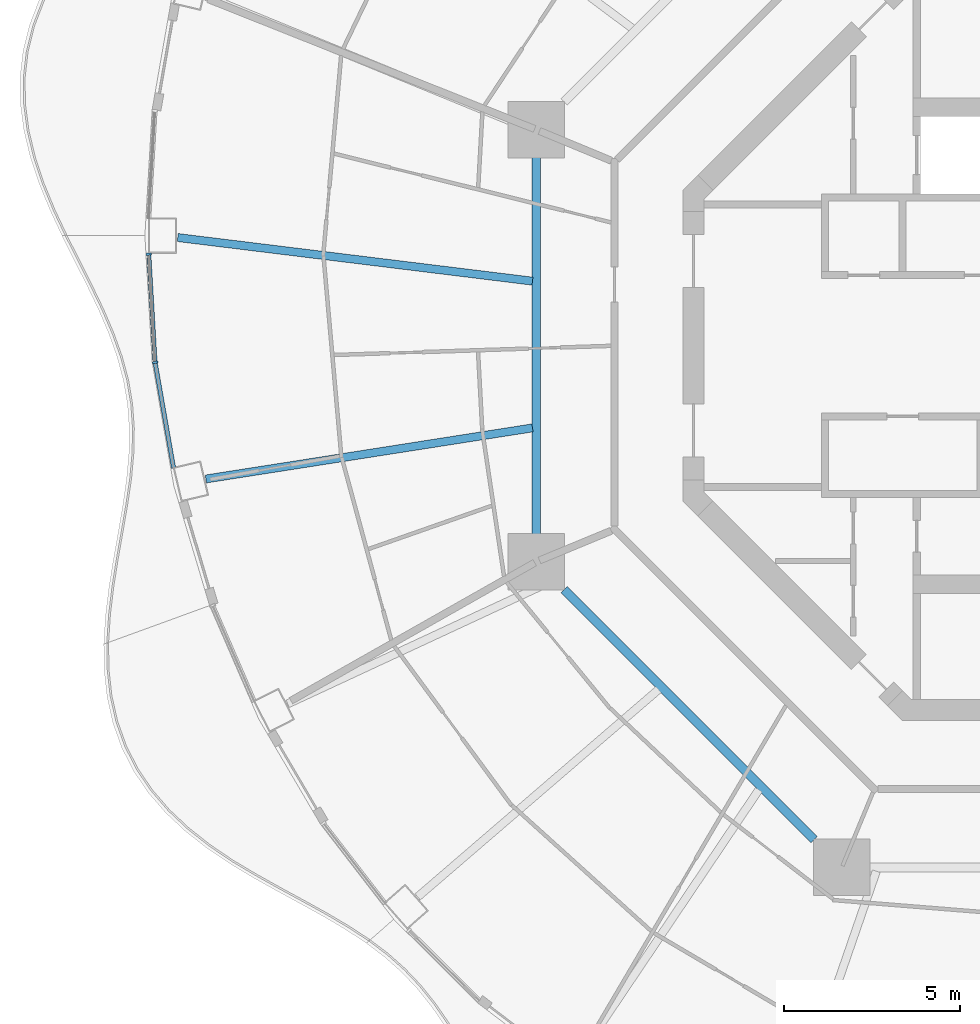
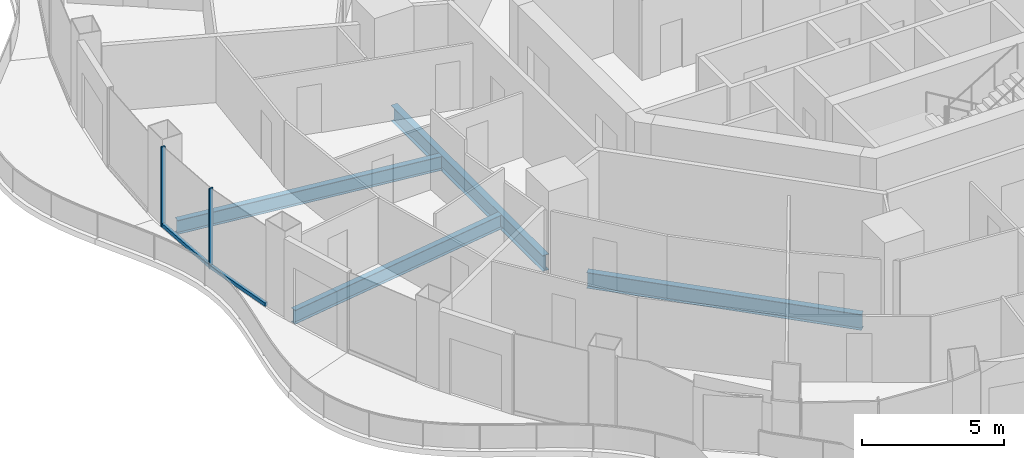
# One storey, part 3 of 18: 4 beams, 4 members, 2 elements without a shape of their own.
"""IFC4 building model written with IfcOpenShell, lengths in metres."""

from ifc_helpers import new_model, si_unit, direction, frame, origin, origin_2d, place, context, subcontext, project, spatial, rectangle, i_section, extrude, material, layer, layer_set, material_profile, profile_set, type_object, element, aggregate, save


model = new_model("IFC4")

# Units and contexts
model_context = context("Model", 3, precision=1e-05, world=origin(), true_north=direction((0.0, 1.0)))
body_context = subcontext(model_context, "Body", "Model", "MODEL_VIEW")
ifc_project = project(units=[si_unit("LENGTHUNIT", "METRE"), si_unit("AREAUNIT", "SQUARE_METRE"), si_unit("VOLUMEUNIT", "CUBIC_METRE"), si_unit("PLANEANGLEUNIT", "RADIAN"), si_unit("MASSUNIT", "GRAM", prefix="KILO")], contexts=[model_context])

# Site, building, storey
site_placement = place(None, origin())
site = spatial("IfcSite", under=ifc_project, at=site_placement, CompositionType="ELEMENT")
building_placement = place(site_placement, origin())
building = spatial("IfcBuilding", under=site, at=building_placement, Name="Nagisa Residences", CompositionType="ELEMENT")
storey_placement = place(building_placement, frame((0.0, 0.0, 212.199951171875)))
storey = spatial("IfcBuildingStorey", under=building, at=storey_placement, Name="L53", CompositionType="ELEMENT", Elevation=212.199951171875)

# Curtain wall, member
ifc_material_1 = material(Name="Concrete-coloured aluminium curtain wall system", Category="concrete")
ifc_layer = layer(ifc_material_1, 0.159912109375)
ifc_layer_set = layer_set([ifc_layer], Name="CW1 CURTAIN WALL")
curtain_wall_type = type_object("IfcCurtainWallType", Name="CW1 CURTAIN WALL", PredefinedType="NOTDEFINED", material=ifc_layer_set)
curtain_wall_1_placement = place(storey_placement, origin())
curtain_wall_1 = element("IfcCurtainWall", 1, at=curtain_wall_1_placement, inside=storey, type_object=curtain_wall_type, Name="cw:CW1:L53:24", PredefinedType="NOTDEFINED")
ifc_material_2 = material(Name="Concrete-coloured aluminium", Category="concrete")
ifc_material_profile_1 = material_profile(ifc_material_2, rectangle(XDim=0.159912109375, YDim=0.06005859375, at=origin_2d()), Name="CW1 MULLION 160x60")
ifc_profile_set_1 = profile_set([ifc_material_profile_1], Name="Concrete-coloured aluminium")
member_type_1 = type_object("IfcMemberType", Name="CW1 MULLION 160x60", PredefinedType="MULLION", material=ifc_profile_set_1)
member_1_placement = place(storey_placement, frame((-25.759765625, 2.59326171875, 0.0), z_axis=(0.0, 0.0, 1.0), x_axis=(0.998345305184, 0.057503492216, 0.0)))
member_1 = element("IfcMember", 2, at=member_1_placement, type_object=member_type_1, Name="CW1 mullion", PredefinedType="MULLION", context=body_context, shape_type="SweptSolid", body=[
    extrude(rectangle(XDim=0.159912109375, YDim=0.06005859375, at=origin_2d()), origin(), (0.0, 0.0, 1.0), 3.43994140625),
])

curtain_wall_2_placement = place(storey_placement, origin())
curtain_wall_2 = element("IfcCurtainWall", 3, at=curtain_wall_2_placement, inside=storey, type_object=curtain_wall_type, Name="cw:CW1:L53:25", PredefinedType="NOTDEFINED")
member_2_placement = place(storey_placement, frame((-25.580078125, -0.47314453125, 0.0), z_axis=(0.0, 0.0, 1.0), x_axis=(0.985063604377, 0.172190868898, 0.0)))
member_2 = element("IfcMember", 4, at=member_2_placement, type_object=member_type_1, Name="CW1 mullion", PredefinedType="MULLION", context=body_context, shape_type="SweptSolid", body=[
    extrude(rectangle(XDim=0.159912109375, YDim=0.06005859375, at=origin_2d()), origin(), (0.0, 0.0, 1.0), 3.43994140625),
])

# Member
ifc_material_3 = material(Name="Concrete-coloured aluminium", Category="concrete")
ifc_material_profile_2 = material_profile(ifc_material_3, rectangle(XDim=0.1201171875, YDim=0.14990234375, at=origin_2d()), Name="CW1 TRANSOM 120x150")
ifc_profile_set_2 = profile_set([ifc_material_profile_2], Name="Concrete-coloured aluminium")
member_type_2 = type_object("IfcMemberType", Name="CW1 TRANSOM 120x150", PredefinedType="USERDEFINED", material=ifc_profile_set_2)
member_3_placement = place(storey_placement, frame((-25.761474609375, 2.623046875, 0.074951171875), z_axis=(0.057528189427, -0.998343882348, 0.0), x_axis=(0.998343882348, 0.057528189427, 0.0)))
member_3 = element("IfcMember", 5, at=member_3_placement, type_object=member_type_2, Name="CW1 transom", ObjectType="TRANSOM", PredefinedType="USERDEFINED", context=body_context, shape_type="SweptSolid", body=[
    extrude(rectangle(XDim=0.1201171875, YDim=0.14990234375, at=origin_2d()), origin(), (0.0, 0.0, 1.0), 3.0810546875),
])

aggregate(curtain_wall_1, [member_1, member_3])

member_4_placement = place(storey_placement, frame((-25.585205078125, -0.443603515625, 0.074951171875), z_axis=(0.172164083933, -0.985068286061, 0.0), x_axis=(0.985068286061, 0.172164083933, 0.0)))
member_4 = element("IfcMember", 6, at=member_4_placement, type_object=member_type_2, Name="CW1 transom", ObjectType="TRANSOM", PredefinedType="USERDEFINED", context=body_context, shape_type="SweptSolid", body=[
    extrude(rectangle(XDim=0.1201171875, YDim=0.14990234375, at=origin_2d()), origin(), (0.0, 0.0, 1.0), 3.0673828125),
])

aggregate(curtain_wall_2, [member_2, member_4])

# Beams
ifc_material_4 = material(Name="Steel ASTM A572 Gr 50", Category="steel")
ifc_material_profile_3 = material_profile(ifc_material_4, i_section(OverallWidth=0.2529296875, OverallDepth=0.677978515625, WebThickness=0.01171875, FlangeThickness=0.016357421875, at=origin_2d()), Name="W690x125")
ifc_profile_set_3 = profile_set([ifc_material_profile_3], Name="Steel ASTM A572 Gr 50")
beam_type_1 = type_object("IfcBeamType", Name="Inner ring beam W690x125", PredefinedType="BEAM", material=ifc_profile_set_3)
beam_1_placement = place(storey_placement, frame((-14.781982421875, 5.343017578125, -0.598876953125), z_axis=(0.0, -1.0, 0.0), x_axis=(1.0, 0.0, 0.0)))
element("IfcBeam", 7, at=beam_1_placement, inside=storey, type_object=beam_type_1, Name="beam:L53:ib4", PredefinedType="BEAM", context=body_context, shape_type="SweptSolid", body=[
    extrude(i_section(OverallWidth=0.2529296875, OverallDepth=0.677978515625, WebThickness=0.01171875, FlangeThickness=0.016357421875, at=origin_2d()), origin(), (0.0, 0.0, 1.0), 10.68603515625),
])
beam_2_placement = place(storey_placement, frame((-13.99609375, -6.90869140625, -0.598876953125), z_axis=(0.707106781187, -0.707106781187, 0.0), x_axis=(0.707106781187, 0.707106781187, 0.0)))
element("IfcBeam", 8, at=beam_2_placement, inside=storey, type_object=beam_type_1, Name="beam:L53:ib5", PredefinedType="BEAM", context=body_context, shape_type="SweptSolid", body=[
    extrude(i_section(OverallWidth=0.2529296875, OverallDepth=0.677978515625, WebThickness=0.01171875, FlangeThickness=0.016357421875, at=origin_2d()), origin(), (0.0, 0.0, 1.0), 10.023193359375),
])
ifc_material_5 = material(Name="Steel ASTM A572 Gr 50", Category="steel")
ifc_material_profile_4 = material_profile(ifc_material_5, i_section(OverallWidth=0.22802734375, OverallDepth=0.60302734375, WebThickness=0.010498046875, FlangeThickness=0.014892578125, at=origin_2d()), Name="W610x101")
ifc_profile_set_4 = profile_set([ifc_material_profile_4], Name="Steel ASTM A572 Gr 50")
beam_type_2 = type_object("IfcBeamType", Name="Radial beam W610x101", PredefinedType="BEAM", material=ifc_profile_set_4)
beam_3_placement = place(storey_placement, frame((-24.93994140625, 3.06494140625, -0.5615234375), z_axis=(0.992531681673, -0.12198713406, 0.0), x_axis=(0.12198713406, 0.992531681673, 0.0)))
element("IfcBeam", 9, at=beam_3_placement, inside=storey, type_object=beam_type_2, Name="beam:L53:rb13", PredefinedType="BEAM", context=body_context, shape_type="SweptSolid", body=[
    extrude(i_section(OverallWidth=0.22802734375, OverallDepth=0.60302734375, WebThickness=0.010498046875, FlangeThickness=0.014892578125, at=origin_2d()), origin(), (0.0, 0.0, 1.0), 10.126953125),
])
beam_4_placement = place(storey_placement, frame((-24.140625, -3.775390625, -0.5615234375), z_axis=(0.987988535383, 0.15452719486, 0.0), x_axis=(-0.15452719486, 0.987988535383, 0.0)))
element("IfcBeam", 10, at=beam_4_placement, inside=storey, type_object=beam_type_2, Name="beam:L53:rb14", PredefinedType="BEAM", context=body_context, shape_type="SweptSolid", body=[
    extrude(i_section(OverallWidth=0.22802734375, OverallDepth=0.60302734375, WebThickness=0.010498046875, FlangeThickness=0.014892578125, at=origin_2d()), origin(), (0.0, 0.0, 1.0), 9.3642578125),
])

save(model, "model.ifc")
